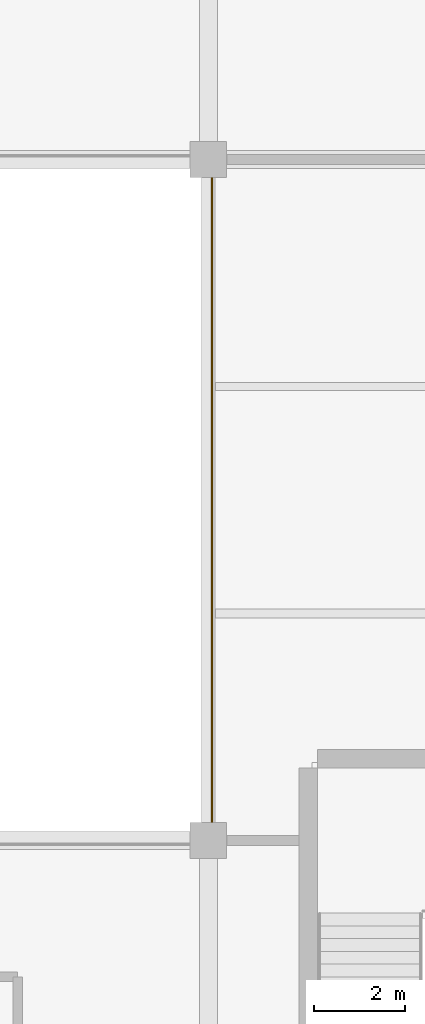
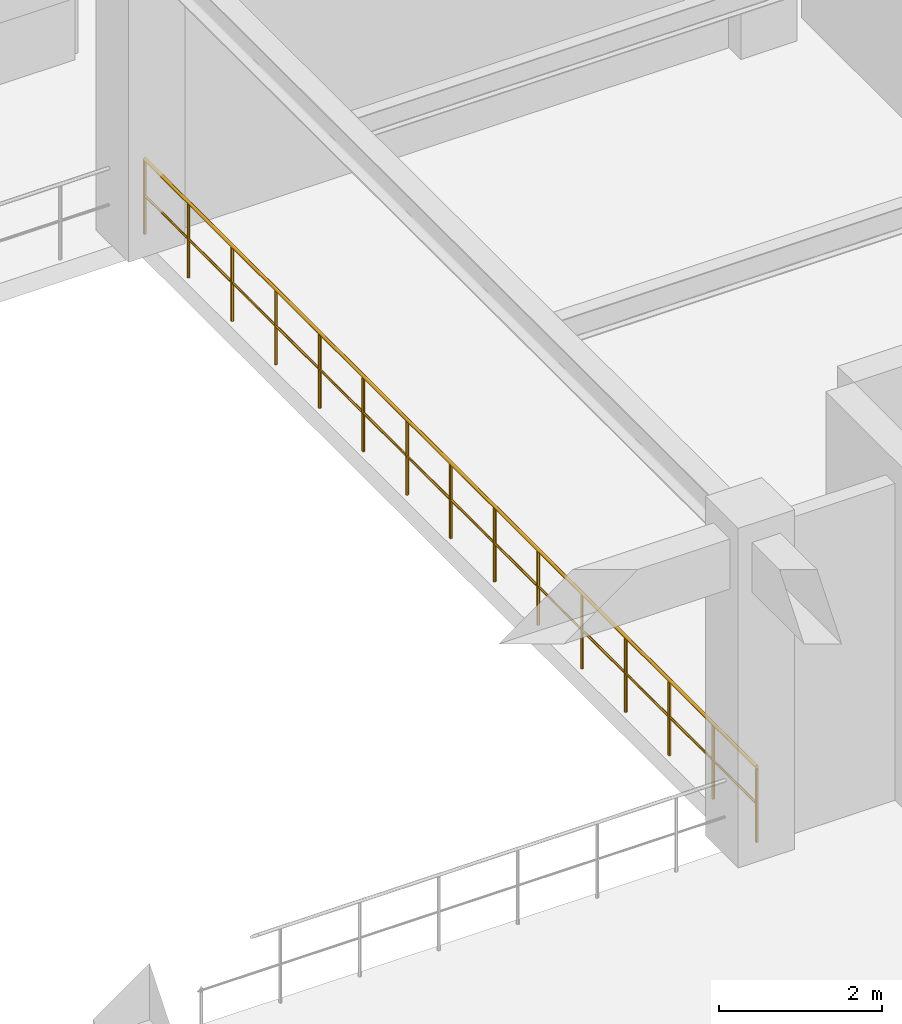
# One storey, part 118 of 124: 1 railing.
"""IFC4 building model written with IfcOpenShell, lengths in metres."""

from ifc_helpers import new_model, si_unit, derived_unit, direction, frame, origin, origin_2d, place, context, subcontext, project, spatial, circle, extrude, material, type_object, element, save


model = new_model("IFC4")

# Units and contexts
model_context = context("Model", 3, precision=1e-05, world=origin(), true_north=direction((0.0, 1.0)))
body_context = subcontext(model_context, "Body", "Model", "MODEL_VIEW")
ifc_project = project(units=[si_unit("LENGTHUNIT", "METRE"), si_unit("AREAUNIT", "SQUARE_METRE"), si_unit("VOLUMEUNIT", "CUBIC_METRE"), si_unit("PLANEANGLEUNIT", "RADIAN"), si_unit("MASSUNIT", "GRAM", prefix="KILO"), derived_unit("THERMALTRANSMITTANCEUNIT", [(si_unit("MASSUNIT", "GRAM", prefix="KILO"), 1), (si_unit("TIMEUNIT", "SECOND"), -3), (si_unit("THERMODYNAMICTEMPERATUREUNIT", "KELVIN"), -1)])], contexts=[model_context])

# Site, building, storey
site_placement = place(None, origin())
site = spatial("IfcSite", under=ifc_project, at=site_placement, CompositionType="ELEMENT")
building_placement = place(site_placement, origin())
building = spatial("IfcBuilding", under=site, at=building_placement, Name="Qinzheling Arcade Emporium", CompositionType="ELEMENT")
storey_placement = place(building_placement, frame((0.0, 0.0, 16.5)))
storey = spatial("IfcBuildingStorey", under=building, at=storey_placement, Name="L04", CompositionType="ELEMENT", Elevation=16.5)

# Railing
ifc_material = material(Name="Galvanised powder-coated tubular steel", Category="steel")
railing_type = type_object("IfcRailingType", Name="Painted Steel Stairwell Guard Railing 1150", PredefinedType="GUARDRAIL", material=ifc_material)
railing_placement = place(storey_placement, frame((87.080078125, 50.3701171875, 0.0)))
element("IfcRailing", 1, at=railing_placement, inside=storey, type_object=railing_type, Name="Atrium Void Guard L04 E", PredefinedType="GUARDRAIL", context=body_context, shape_type="SweptSolid", body=[
    extrude(circle(Radius=0.02392578125, at=origin_2d()), frame((0.0, 0.0, 1.1259765625), z_axis=(0.0, 1.0, 0.0), x_axis=(-1.0, 0.0, 0.0)), (0.0, 0.0, 1.0), 15.059814453125),
    extrude(circle(Radius=0.01611328125, at=origin_2d()), frame((0.0, 0.0, 0.574951171875), z_axis=(0.0, 1.0, 0.0), x_axis=(-1.0, 0.0, 0.0)), (0.0, 0.0, 1.0), 15.059814453125),
    extrude(circle(Radius=0.02099609375, at=origin_2d()), origin(), (0.0, 0.0, 1.0), 1.101806640625),
    extrude(circle(Radius=0.02099609375, at=origin_2d()), frame((0.0, 1.07568359375, 0.0)), (0.0, 0.0, 1.0), 1.101806640625),
    extrude(circle(Radius=0.02099609375, at=origin_2d()), frame((0.0, 2.1513671875, 0.0)), (0.0, 0.0, 1.0), 1.101806640625),
    extrude(circle(Radius=0.02099609375, at=origin_2d()), frame((0.0, 3.22705078125, 0.0)), (0.0, 0.0, 1.0), 1.101806640625),
    extrude(circle(Radius=0.02099609375, at=origin_2d()), frame((0.0, 4.302734375, 0.0)), (0.0, 0.0, 1.0), 1.101806640625),
    extrude(circle(Radius=0.02099609375, at=origin_2d()), frame((0.0, 5.37841796875, 0.0)), (0.0, 0.0, 1.0), 1.101806640625),
    extrude(circle(Radius=0.02099609375, at=origin_2d()), frame((0.0, 6.4541015625, 0.0)), (0.0, 0.0, 1.0), 1.101806640625),
    extrude(circle(Radius=0.02099609375, at=origin_2d()), frame((0.0, 7.52978515625, 0.0)), (0.0, 0.0, 1.0), 1.101806640625),
    extrude(circle(Radius=0.02099609375, at=origin_2d()), frame((0.0, 8.605712890625, 0.0)), (0.0, 0.0, 1.0), 1.101806640625),
    extrude(circle(Radius=0.02099609375, at=origin_2d()), frame((0.0, 9.681396484375, 0.0)), (0.0, 0.0, 1.0), 1.101806640625),
    extrude(circle(Radius=0.02099609375, at=origin_2d()), frame((0.0, 10.757080078125, 0.0)), (0.0, 0.0, 1.0), 1.101806640625),
    extrude(circle(Radius=0.02099609375, at=origin_2d()), frame((0.0, 11.832763671875, 0.0)), (0.0, 0.0, 1.0), 1.101806640625),
    extrude(circle(Radius=0.02099609375, at=origin_2d()), frame((0.0, 12.908447265625, 0.0)), (0.0, 0.0, 1.0), 1.101806640625),
    extrude(circle(Radius=0.02099609375, at=origin_2d()), frame((0.0, 13.984130859375, 0.0)), (0.0, 0.0, 1.0), 1.101806640625),
    extrude(circle(Radius=0.02099609375, at=origin_2d()), frame((0.0, 15.059814453125, 0.0)), (0.0, 0.0, 1.0), 1.101806640625),
])

save(model, "model.ifc")
